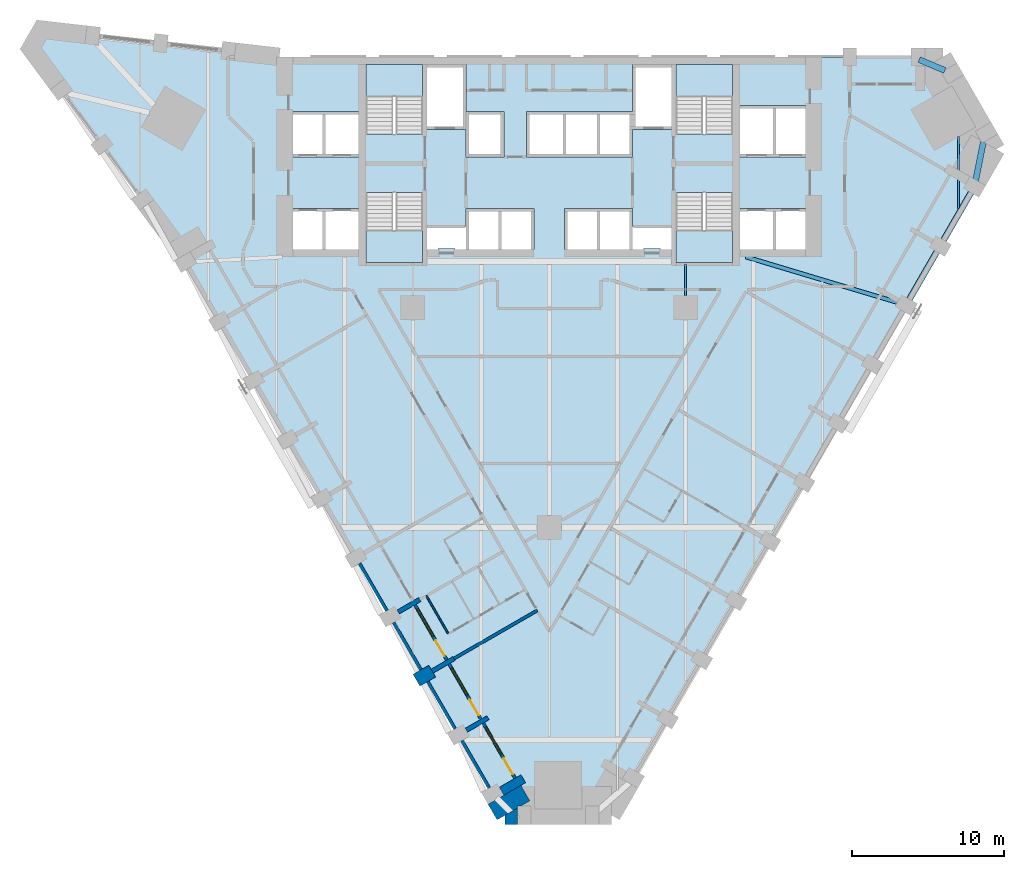
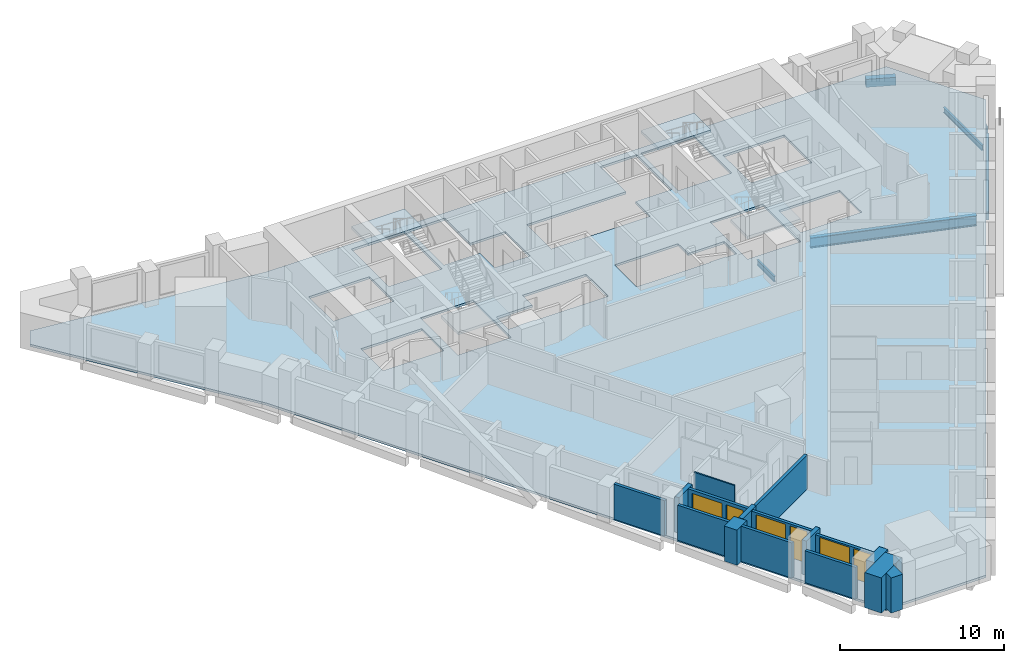
# One storey, part 2 of 10: 16 walls, 6 beams, 5 slabs, 3 doors, 3 windows, 6 openings, 4 elements without a shape of their own.
"""IFC4 building model written with IfcOpenShell, lengths in metres."""

from ifc_helpers import new_model, si_unit, direction, frame, frame_2d, origin, origin_2d, place, context, subcontext, project, spatial, polyline, rectangle, i_section, outline, extrude, material, layer, layer_set, material_profile, profile_set, type_object, element, fill, aggregate, save


model = new_model("IFC4")

# Units and contexts
model_context = context("Model", 3, precision=1e-05, world=origin(), true_north=direction((0.0, 1.0)))
body_context = subcontext(model_context, "Body", "Model", "MODEL_VIEW")
ifc_project = project(units=[si_unit("LENGTHUNIT", "METRE"), si_unit("AREAUNIT", "SQUARE_METRE"), si_unit("VOLUMEUNIT", "CUBIC_METRE"), si_unit("PLANEANGLEUNIT", "RADIAN"), si_unit("MASSUNIT", "GRAM", prefix="KILO")], contexts=[model_context])

# Site, building, storey
site_placement = place(None, origin())
site = spatial("IfcSite", under=ifc_project, at=site_placement, CompositionType="ELEMENT")
building_placement = place(site_placement, origin())
building = spatial("IfcBuilding", under=site, at=building_placement, Name="Calabash Gate Tower", CompositionType="ELEMENT")
storey_placement = place(building_placement, frame((0.0, 0.0, 66.39990234375)))
storey = spatial("IfcBuildingStorey", under=building, at=storey_placement, Name="L12", CompositionType="ELEMENT", Elevation=66.39990234375)

# Beams
ifc_material_1 = material(Name="Concrete C60/75", Category="concrete")
ifc_material_profile_1 = material_profile(ifc_material_1, rectangle(XDim=0.39990234375, YDim=0.60009765625, at=origin_2d()))
ifc_profile_set_1 = profile_set([ifc_material_profile_1], Name="Concrete C60/75")
beam_type_1 = type_object("IfcBeamType", Name="Edge beam RC 400x600 Concrete C60/75", PredefinedType="BEAM", material=ifc_profile_set_1)
beam_1_placement = place(storey_placement, frame((23.616943359375, 2.801025390625, -0.469970703125), z_axis=(0.500025102917, 0.866010910123, 0.0), x_axis=(-0.866010910123, 0.500025102917, 0.0)))
element("IfcBeam", 1, at=beam_1_placement, inside=storey, type_object=beam_type_1, Name="Edge beam L12 11", PredefinedType="BEAM", context=body_context, shape_type="SweptSolid", body=[
    extrude(rectangle(XDim=0.39990234375, YDim=0.60009765625, at=origin_2d()), origin(), (0.0, 0.0, 1.0), 8.42578125),
])
beam_2_placement = place(storey_placement, frame((28.072021484375, 10.618896484375, -0.469970703125), z_axis=(0.197276022222, 0.980347984675, 0.0), x_axis=(-0.980347984675, 0.197276022222, 0.0)))
element("IfcBeam", 2, at=beam_2_placement, inside=storey, type_object=beam_type_1, Name="Edge beam L12 12", PredefinedType="BEAM", context=body_context, shape_type="SweptSolid", body=[
    extrude(rectangle(XDim=0.39990234375, YDim=0.60009765625, at=origin_2d()), origin(), (0.0, 0.0, 1.0), 2.87353515625),
])
beam_3_placement = place(storey_placement, frame((26.10205078125, 18.157958984375, -0.469970703125), z_axis=(-0.921349387406, 0.388735522337, 0.0), x_axis=(-0.388735522337, -0.921349387406, 0.0)))
element("IfcBeam", 3, at=beam_3_placement, inside=storey, type_object=beam_type_1, Name="Edge beam L12 13", PredefinedType="BEAM", context=body_context, shape_type="SweptSolid", body=[
    extrude(rectangle(XDim=0.39990234375, YDim=0.60009765625, at=origin_2d()), origin(), (0.0, 0.0, 1.0), 1.849609375),
])
ifc_material_2 = material(Name="Steel ASTM A992 Gr50", Category="steel")
ifc_material_profile_2 = material_profile(ifc_material_2, i_section(OverallWidth=0.1396484375, OverallDepth=0.398681640625, WebThickness=0.00634765625, FlangeThickness=0.0087890625, FilletRadius=0.01025390625, at=origin_2d()))
ifc_profile_set_2 = profile_set([ifc_material_profile_2], Name="Steel ASTM A992 Gr50")
beam_type_2 = type_object("IfcBeamType", Name="Floor beam W16x26 ASTM A992 Gr50", PredefinedType="BEAM", material=ifc_profile_set_2)
beam_4_placement = place(storey_placement, frame((9.0, 3.300048828125, -0.368896484375), z_axis=(0.0, 1.0, 0.0), x_axis=(-1.0, 0.0, 0.0)))
element("IfcBeam", 4, at=beam_4_placement, inside=storey, type_object=beam_type_2, Name="Floor beam L12 19", PredefinedType="BEAM", context=body_context, shape_type="SweptSolid", body=[
    extrude(i_section(OverallWidth=0.1396484375, OverallDepth=0.398681640625, WebThickness=0.00634765625, FlangeThickness=0.0087890625, FilletRadius=0.01025390625, at=origin_2d()), origin(), (0.0, 0.0, 1.0), 2.10302734375),
])
beam_5_placement = place(storey_placement, frame((27.0, 9.048095703125, -0.368896484375), z_axis=(0.0, 1.0, 0.0), x_axis=(-1.0, 0.0, 0.0)))
element("IfcBeam", 5, at=beam_5_placement, inside=storey, type_object=beam_type_2, Name="Floor beam L12 23", PredefinedType="BEAM", context=body_context, shape_type="SweptSolid", body=[
    extrude(i_section(OverallWidth=0.1396484375, OverallDepth=0.398681640625, WebThickness=0.00634765625, FlangeThickness=0.0087890625, FilletRadius=0.01025390625, at=origin_2d()), origin(), (0.0, 0.0, 1.0), 4.744873046875),
])
ifc_material_3 = material(Name="Steel ASTM A992 Gr50", Category="steel")
ifc_material_profile_3 = material_profile(ifc_material_3, i_section(OverallWidth=0.2666015625, OverallDepth=0.77978515625, WebThickness=0.0166015625, FlangeThickness=0.030029296875, FilletRadius=0.0166015625, at=origin_2d()))
ifc_profile_set_3 = profile_set([ifc_material_profile_3], Name="Steel ASTM A992 Gr50")
beam_type_3 = type_object("IfcBeamType", Name="Girder W30x148 ASTM A992 Gr50", PredefinedType="BEAM", material=ifc_profile_set_3)
beam_6_placement = place(storey_placement, frame((22.97900390625, 2.85302734375, -0.559814453125), z_axis=(-0.957675094777, 0.287851372836, 0.0), x_axis=(-0.287851372836, -0.957675094777, 0.0)))
element("IfcBeam", 6, at=beam_6_placement, inside=storey, type_object=beam_type_3, Name="Girder L12 3", PredefinedType="BEAM", context=body_context, shape_type="SweptSolid", body=[
    extrude(i_section(OverallWidth=0.2666015625, OverallDepth=0.77978515625, WebThickness=0.0166015625, FlangeThickness=0.030029296875, FilletRadius=0.0166015625, at=origin_2d()), origin(), (0.0, 0.0, 1.0), 10.453369140625),
])

# Slab
ifc_material_4 = material(Name="Concrete C40/50", Category="concrete")
ifc_layer_1 = layer(ifc_material_4, 0.169921875)
ifc_layer_set_1 = layer_set([ifc_layer_1], Name="Composite floor slab 170 Concrete C40/50")
slab_type_1 = type_object("IfcSlabType", Name="Composite floor slab 170 Concrete C40/50", PredefinedType="FLOOR", material=ifc_layer_set_1)
slab_1_placement = place(storey_placement, frame((0.0, 0.0, -0.169921875)))
element("IfcSlab", 7, at=slab_1_placement, inside=storey, type_object=slab_type_1, Name="Floor slab L12", PredefinedType="FLOOR", context=body_context, shape_type="SweptSolid", body=[
    extrude(outline(polyline([(-24.806640625, 6.92822265625), (-34.19921875, 19.606201171875), (-33.482421875, 20.84765625), (-17.806640625, 19.052490234375), (25.96240234375, 19.052490234375), (29.481201171875, 12.957763671875), (4.115478515625, -30.97705078125), (-2.922119140625, -30.97705078125), (-24.806640625, 6.92822265625)]), holes=[polyline([(-5.5, 9.052490234375), (-5.5, 7.8525390625), (-8.050048828125, 7.8525390625), (-8.050048828125, 6.3525390625), (-7.324951171875, 6.3525390625), (-7.324951171875, 6.402587890625), (-6.22509765625, 6.402587890625), (-6.22509765625, 6.3525390625), (-5.5, 6.3525390625), (-3.25, 6.3525390625), (-1.0, 6.3525390625), (-1.0, 9.052490234375), (-3.25, 9.052490234375), (-5.5, 9.052490234375)]), polyline([(5.5, 9.052490234375), (3.25, 9.052490234375), (1.0, 9.052490234375), (1.0, 6.3525390625), (3.25, 6.3525390625), (5.5, 6.3525390625), (6.22509765625, 6.3525390625), (6.22509765625, 6.402587890625), (7.324951171875, 6.402587890625), (7.324951171875, 6.3525390625), (8.050048828125, 6.3525390625), (8.050048828125, 7.8525390625), (5.5, 7.8525390625), (5.5, 9.052490234375)]), polyline([(-5.5, 14.252685546875), (-5.5, 12.45263671875), (-3.0, 12.45263671875), (-3.0, 15.45263671875), (-5.5, 15.45263671875), (-5.5, 18.552490234375), (-8.050048828125, 18.552490234375), (-8.050048828125, 14.252685546875), (-5.5, 14.252685546875)]), polyline([(8.050048828125, 18.552490234375), (5.5, 18.552490234375), (5.5, 15.45263671875), (3.25, 15.45263671875), (1.0, 15.45263671875), (-1.5, 15.45263671875), (-1.5, 12.45263671875), (1.0, 12.45263671875), (3.25, 12.45263671875), (5.5, 12.45263671875), (5.5, 14.252685546875), (8.050048828125, 14.252685546875), (8.050048828125, 18.552490234375)]), polyline([(-12.60009765625, 6.3525390625), (-12.60009765625, 9.052490234375), (-14.85009765625, 9.052490234375), (-16.89990234375, 9.052490234375), (-16.89990234375, 6.3525390625), (-14.85009765625, 6.3525390625), (-12.60009765625, 6.3525390625)]), polyline([(-14.85009765625, 12.45263671875), (-12.60009765625, 12.45263671875), (-12.60009765625, 15.45263671875), (-14.85009765625, 15.45263671875), (-16.89990234375, 15.45263671875), (-16.89990234375, 12.45263671875), (-14.85009765625, 12.45263671875)]), polyline([(14.85009765625, 6.3525390625), (16.89990234375, 6.3525390625), (16.89990234375, 9.052490234375), (14.85009765625, 9.052490234375), (12.60009765625, 9.052490234375), (12.60009765625, 6.3525390625), (14.85009765625, 6.3525390625)]), polyline([(14.85009765625, 12.45263671875), (16.89990234375, 12.45263671875), (16.89990234375, 15.8525390625), (14.85009765625, 15.8525390625), (12.60009765625, 15.8525390625), (12.60009765625, 12.45263671875), (14.85009765625, 12.45263671875)]), polyline([(-8.35009765625, 18.552490234375), (-12.10009765625, 18.552490234375), (-12.10009765625, 13.95263671875), (-8.35009765625, 13.95263671875), (-8.35009765625, 18.552490234375)]), polyline([(-12.10009765625, 10.1025390625), (-12.10009765625, 5.502685546875), (-8.35009765625, 5.502685546875), (-8.35009765625, 10.1025390625), (-12.10009765625, 10.1025390625)]), polyline([(8.35009765625, 13.95263671875), (12.10009765625, 13.95263671875), (12.10009765625, 18.552490234375), (8.35009765625, 18.552490234375), (8.35009765625, 13.95263671875)]), polyline([(12.10009765625, 5.502685546875), (12.10009765625, 10.1025390625), (8.35009765625, 10.1025390625), (8.35009765625, 5.502685546875), (12.10009765625, 5.502685546875)])]), origin(), (0.0, 0.0, 1.0), 0.169921875),
])

# Stair, slab
ifc_material_5 = material(Name="Concrete C40/50", Category="concrete")
stair_type = type_object("IfcStairType", Name="Exit stair 20 risers of 170 mm", PredefinedType="HALF_TURN_STAIR", material=ifc_material_5)
stair_1_placement = place(storey_placement, origin())
stair_1 = element("IfcStair", 8, at=stair_1_placement, inside=storey, type_object=stair_type, Name="L12 Exit stair ST1", PredefinedType="HALF_TURN_STAIR")
ifc_material_6 = material(Name="Concrete C40/50", Category="concrete")
ifc_layer_2 = layer(ifc_material_6, 0.199951171875)
ifc_layer_set_2 = layer_set([ifc_layer_2], Name="Stair landing SL200")
slab_type_2 = type_object("IfcSlabType", Name="Stair landing SL200", PredefinedType="LANDING", material=ifc_layer_set_2)
slab_2_placement = place(storey_placement, frame((0.0, 0.0, 1.5)))
slab_2 = element("IfcSlab", 9, at=slab_2_placement, type_object=slab_type_2, Name="ST1 landing 1", PredefinedType="LANDING", context=body_context, shape_type="SweptSolid", body=[
    extrude(outline(polyline([(-8.35009765625, 16.463623046875), (-8.35009765625, 18.552490234375), (-12.10009765625, 18.552490234375), (-12.10009765625, 16.463623046875), (-8.35009765625, 16.463623046875)])), origin(), (0.0, 0.0, 1.0), 0.2001953125),
])
aggregate(stair_1, [slab_2])

stair_2_placement = place(storey_placement, origin())
stair_2 = element("IfcStair", 10, at=stair_2_placement, inside=storey, type_object=stair_type, Name="L12 Exit stair ST2", PredefinedType="HALF_TURN_STAIR")
slab_3_placement = place(storey_placement, frame((0.0, 0.0, 1.5)))
slab_3 = element("IfcSlab", 11, at=slab_3_placement, type_object=slab_type_2, Name="ST2 landing 1", PredefinedType="LANDING", context=body_context, shape_type="SweptSolid", body=[
    extrude(outline(polyline([(-12.10009765625, 7.591552734375), (-12.10009765625, 5.502685546875), (-8.35009765625, 5.502685546875), (-8.35009765625, 7.591552734375), (-12.10009765625, 7.591552734375)])), origin(), (0.0, 0.0, 1.0), 0.2001953125),
])
aggregate(stair_2, [slab_3])

stair_3_placement = place(storey_placement, origin())
stair_3 = element("IfcStair", 12, at=stair_3_placement, inside=storey, type_object=stair_type, Name="L12 Exit stair ST3", PredefinedType="HALF_TURN_STAIR")
slab_4_placement = place(storey_placement, frame((0.0, 0.0, 1.5)))
slab_4 = element("IfcSlab", 13, at=slab_4_placement, type_object=slab_type_2, Name="ST3 landing 1", PredefinedType="LANDING", context=body_context, shape_type="SweptSolid", body=[
    extrude(outline(polyline([(12.10009765625, 16.463623046875), (12.10009765625, 18.552490234375), (8.35009765625, 18.552490234375), (8.35009765625, 16.463623046875), (12.10009765625, 16.463623046875)])), origin(), (0.0, 0.0, 1.0), 0.2001953125),
])
aggregate(stair_3, [slab_4])

stair_4_placement = place(storey_placement, origin())
stair_4 = element("IfcStair", 14, at=stair_4_placement, inside=storey, type_object=stair_type, Name="L12 Exit stair ST4", PredefinedType="HALF_TURN_STAIR")
slab_5_placement = place(storey_placement, frame((0.0, 0.0, 1.5)))
slab_5 = element("IfcSlab", 15, at=slab_5_placement, type_object=slab_type_2, Name="ST4 landing 1", PredefinedType="LANDING", context=body_context, shape_type="SweptSolid", body=[
    extrude(outline(polyline([(8.35009765625, 7.591552734375), (8.35009765625, 5.502685546875), (12.10009765625, 5.502685546875), (12.10009765625, 7.591552734375), (8.35009765625, 7.591552734375)])), origin(), (0.0, 0.0, 1.0), 0.2001953125),
])
aggregate(stair_4, [slab_5])

# Walls
ifc_material_7 = material(Name="Terracotta brick masonry, exposed face", Category="masonry")
ifc_layer_3 = layer(ifc_material_7, 2.5)
ifc_layer_set_3 = layer_set([ifc_layer_3], Name="Brick corner mass wall 2500")
wall_type_1 = type_object("IfcWallType", Name="Brick corner mass wall 2500", PredefinedType="SOLIDWALL", material=ifc_layer_set_3)
wall_1_placement = place(storey_placement, origin())
element("IfcWall", 16, at=wall_1_placement, inside=storey, type_object=wall_type_1, Name="Brick corner pier S03 2a", PredefinedType="SOLIDWALL", context=body_context, shape_type="SweptSolid", body=[
    extrude(outline(polyline([(-1.276611328125, -30.027099609375), (-1.868896484375, -29.001220703125), (-4.033935546875, -30.251220703125), (-3.441650390625, -31.277099609375), (-2.10302734375, -30.504150390625), (-2.10302734375, -30.376953125), (-1.8828125, -30.376953125), (-1.276611328125, -30.027099609375)])), origin(), (0.0, 0.0, 1.0), 2.630126953125),
])
wall_2_placement = place(storey_placement, origin())
element("IfcWall", 17, at=wall_2_placement, inside=storey, type_object=wall_type_1, Name="Brick corner pier S03 2ba", PredefinedType="SOLIDWALL", context=body_context, shape_type="SweptSolid", body=[
    extrude(outline(polyline([(-2.922119140625, -30.97705078125), (-2.922119140625, -31.576904296875), (-2.10302734375, -31.576904296875), (-2.10302734375, -30.504150390625), (-2.922119140625, -30.97705078125)])), origin(), (0.0, 0.0, 1.0), 2.630126953125),
])
ifc_material_8 = material(Name="Terracotta brick masonry, exposed face", Category="masonry")
ifc_layer_4 = layer(ifc_material_8, 1.199951171875)
ifc_layer_set_4 = layer_set([ifc_layer_4], Name="Brick end wall 1200")
wall_type_2 = type_object("IfcWallType", Name="Brick end wall 1200", PredefinedType="SOLIDWALL", material=ifc_layer_set_4)
wall_3_placement = place(storey_placement, frame((-8.759033203125, -22.067138671875, 0.0), z_axis=(0.0, 0.0, 1.0), x_axis=(0.866094119867, 0.499880961361, 0.0)))
element("IfcWall", 18, at=wall_3_placement, inside=storey, type_object=wall_type_2, Name="Brick pier S03 SW0.7", PredefinedType="SOLIDWALL", context=body_context, shape_type="SweptSolid", body=[
    extrude(rectangle(XDim=1.199951171875, YDim=0.89990234375, at=frame_2d((0.60009765625, 0.0))), origin(), (0.0, 0.0, 1.0), 2.630126953125),
])
ifc_material_9 = material(Name="Terracotta brick masonry, exposed face", Category="masonry")
ifc_layer_5 = layer(ifc_material_9, 0.300048828125)
ifc_layer_set_5 = layer_set([ifc_layer_5], Name="Brick loggia cheek wall 300")
wall_type_3 = type_object("IfcWallType", Name="Brick loggia cheek wall 300", PredefinedType="SOLIDWALL", material=ifc_layer_set_5)
wall_4_placement = place(storey_placement, frame((-8.540771484375, -16.7451171875, 0.0), z_axis=(0.0, 0.0, 1.0), x_axis=(-0.866067297121, -0.499927431592, 0.0)))
element("IfcWall", 19, at=wall_4_placement, inside=storey, type_object=wall_type_3, Name="Loggia cheek S03 SW0.6", PredefinedType="SOLIDWALL", context=body_context, shape_type="SweptSolid", body=[
    extrude(rectangle(XDim=1.649658203125, YDim=0.300048828125, at=frame_2d((0.82470703125, 0.0))), origin(), (0.0, 0.0, 1.0), 2.650146484375),
])
wall_5_placement = place(storey_placement, frame((-7.7197265625, -21.46728515625, 0.0), z_axis=(0.0, 0.0, 1.0), x_axis=(0.865976140824, 0.500085316245, 0.0)))
element("IfcWall", 20, at=wall_5_placement, inside=storey, type_object=wall_type_3, Name="Loggia cheek S03 SW0.7", PredefinedType="SOLIDWALL", context=body_context, shape_type="SweptSolid", body=[
    extrude(rectangle(XDim=1.650146484375, YDim=0.300048828125, at=frame_2d((0.8251953125, 0.0))), origin(), (0.0, 0.0, 1.0), 2.650146484375),
])
wall_6_placement = place(storey_placement, frame((-5.46923828125, -25.364013671875, 0.0), z_axis=(0.0, 0.0, 1.0), x_axis=(0.866030301974, 0.499991515992, 0.0)))
element("IfcWall", 21, at=wall_6_placement, inside=storey, type_object=wall_type_3, Name="Loggia cheek S03 SW0.8", PredefinedType="SOLIDWALL", context=body_context, shape_type="SweptSolid", body=[
    extrude(rectangle(XDim=1.6494140625, YDim=0.300048828125, at=frame_2d((0.82470703125, 0.0))), origin(), (0.0, 0.0, 1.0), 2.552001953125),
])
wall_7_placement = place(storey_placement, frame((-3.144775390625, -29.391357421875, 0.0), z_axis=(0.0, 0.0, 1.0), x_axis=(0.866040211805, 0.499974350878, 0.0)))
element("IfcWall", 22, at=wall_7_placement, inside=storey, type_object=wall_type_3, Name="Loggia cheek S03 SW0.9", PredefinedType="SOLIDWALL", context=body_context, shape_type="SweptSolid", body=[
    extrude(rectangle(XDim=1.64990234375, YDim=0.60009765625, at=frame_2d((0.824951171875, 0.0))), origin(), (0.0, 0.0, 1.0), 2.630126953125),
])
ifc_material_10 = material(Name="Gypsum board on steel studs, mineral wool", Category="steel")
ifc_layer_6 = layer(ifc_material_10, 0.10009765625)
ifc_layer_set_6 = layer_set([ifc_layer_6], Name="Partition 100 gypsum board")
wall_type_4 = type_object("IfcWallType", Name="Partition 100 gypsum board", PredefinedType="PARTITIONING", material=ifc_layer_set_6)
wall_8_placement = place(storey_placement, frame((-8.107666015625, -16.4951171875, 0.0), z_axis=(0.0, 0.0, 1.0), x_axis=(0.499969479948, -0.866043023828, 0.0)))
element("IfcWall", 23, at=wall_8_placement, inside=storey, type_object=wall_type_4, Name="Partition", PredefinedType="PARTITIONING", context=body_context, shape_type="SweptSolid", body=[
    extrude(rectangle(XDim=2.851806640625, YDim=0.10009765625, at=frame_2d((1.42578125, 0.0))), origin(), (0.0, 0.0, 1.0), 3.22998046875),
])
ifc_material_11 = material(Name="Gypsum board on steel studs, mineral wool", Category="steel")
ifc_layer_7 = layer(ifc_material_11, 0.199951171875)
ifc_layer_set_7 = layer_set([ifc_layer_7], Name="Partition 200 gypsum board EI 60")
wall_type_5 = type_object("IfcWallType", Name="Partition 200 gypsum board EI 60", PredefinedType="PARTITIONING", material=ifc_layer_set_7)
wall_9_placement = place(storey_placement, frame((-6.291015625, -20.64208984375, 0.0), z_axis=(0.0, 0.0, 1.0), x_axis=(0.86590949515, 0.500200705926, 0.0)))
element("IfcWall", 24, at=wall_9_placement, inside=storey, type_object=wall_type_5, Name="Partition", PredefinedType="PARTITIONING", context=body_context, shape_type="SweptSolid", body=[
    extrude(rectangle(XDim=6.34814453125, YDim=0.199951171875, at=frame_2d((3.174072265625, 0.0))), origin(), (0.0, 0.0, 1.0), 2.552001953125),
])
ifc_material_12 = material(Name="Terracotta brick masonry, perforated", Category="masonry")
ifc_layer_8 = layer(ifc_material_12, 0.199951171875)
ifc_layer_set_8 = layer_set([ifc_layer_8], Name="Terracotta jaali screen A")
wall_type_6 = type_object("IfcWallType", Name="Terracotta jaali screen A", PredefinedType="SOLIDWALL", material=ifc_layer_set_8)
wall_10_placement = place(storey_placement, frame((-12.514404296875, -14.362548828125, 0.0), z_axis=(0.0, 0.0, 1.0), x_axis=(0.499982693035, -0.866035395735, 0.0)))
element("IfcWall", 25, at=wall_10_placement, inside=storey, type_object=wall_type_6, Name="SCREEN A S03 SW0.6", PredefinedType="SOLIDWALL", context=body_context, shape_type="SweptSolid", body=[
    extrude(rectangle(XDim=3.600341796875, YDim=0.199951171875, at=frame_2d((1.80029296875, 0.0))), origin(), (0.0, 0.0, 1.0), 2.630126953125),
])
for number, where, z_axis, x_axis, name in (
    (26, (-10.264404296875, -18.259765625, 0.0), (0.0, 0.0, 1.0), (0.500012057535, -0.866018442252, 0.0), "SCREEN A S03 SW0.7"),
    (27, (-8.014404296875, -22.156982421875, 0.0), (0.0, 0.0, 1.0), (0.500012057535, -0.866018442252, 0.0), "SCREEN A S03 SW0.8"),
):
    element("IfcWall", number, at=place(storey_placement, frame(where, z_axis=z_axis, x_axis=x_axis)), inside=storey, type_object=wall_type_6, Name=name, PredefinedType="SOLIDWALL", context=body_context, shape_type="SweptSolid", body=[
        extrude(rectangle(XDim=3.60009765625, YDim=0.199951171875, at=frame_2d((1.800048828125, 0.0))), origin(), (0.0, 0.0, 1.0), 2.630126953125),
    ])
wall_11_placement = place(storey_placement, frame((-5.764404296875, -26.053955078125, 0.0), z_axis=(0.0, 0.0, 1.0), x_axis=(0.500012057535, -0.866018442252, 0.0)))
element("IfcWall", 28, at=wall_11_placement, inside=storey, type_object=wall_type_6, Name="SCREEN A S03 SW0.9", PredefinedType="SOLIDWALL", context=body_context, shape_type="SweptSolid", body=[
    extrude(rectangle(XDim=3.60009765625, YDim=0.199951171875, at=frame_2d((1.800048828125, 0.0))), origin(), (0.0, 0.0, 1.0), 2.3740234375),
])

# Wall, openings, door, window
ifc_material_13 = material(Name="Aluminium framed window wall with insulated spandrel", Category="aluminium")
ifc_layer_9 = layer(ifc_material_13, 0.199951171875)
ifc_layer_set_9 = layer_set([ifc_layer_9], Name="Window wall 200")
wall_type_7 = type_object("IfcWallType", Name="Window wall 200", PredefinedType="ELEMENTEDWALL", material=ifc_layer_set_9)
wall_12_placement = place(storey_placement, frame((-8.85546875, -17.10009765625, 0.0), z_axis=(0.0, 0.0, 1.0), x_axis=(0.49998411664, -0.866034573852, 0.0)))
wall_12 = element("IfcWall", 29, at=wall_12_placement, inside=storey, type_object=wall_type_7, Name="Window wall S03 SW0.7", PredefinedType="ELEMENTEDWALL", context=body_context, shape_type="SweptSolid", body=[
    extrude(rectangle(XDim=4.199951171875, YDim=0.199951171875, at=frame_2d((2.10009765625, 0.0))), origin(), (0.0, 0.0, 1.0), 2.650146484375),
])
opening_1_placement = place(wall_12_placement, frame((0.300048828125, 0.0, 0.60009765625)))
opening_1 = element("IfcOpeningElement", 30, at=opening_1_placement, cuts=wall_12, Name="Opening HW1", PredefinedType="OPENING", context=body_context, shape_type="SweptSolid", body=[
    extrude(rectangle(XDim=2.10009765625, YDim=1.800048828125, at=frame_2d((1.050048828125, 0.89990234375))), frame((0.0, 0.10986328125, 0.0), z_axis=(0.0, -1.0, 0.0), x_axis=(1.0, 0.0, 0.0)), (0.0, 0.0, 1.0), 0.219970703125),
])
opening_2_placement = place(wall_12_placement, frame((2.699951171875, 0.0, 0.0)))
opening_2 = element("IfcOpeningElement", 31, at=opening_2_placement, cuts=wall_12, Name="Opening H3-026", PredefinedType="OPENING", context=body_context, shape_type="SweptSolid", body=[
    extrude(rectangle(XDim=1.199951171875, YDim=2.39990234375, at=frame_2d((0.60009765625, 1.199951171875))), frame((0.0, 0.10986328125, 0.0), z_axis=(0.0, -1.0, 0.0), x_axis=(1.0, 0.0, 0.0)), (0.0, 0.0, 1.0), 0.219970703125),
])
ifc_material_14 = material(Name="Anodised aluminium frame, bronze finish, impact-rated laminated clear glazing", Category="aluminium")
door_type_1 = type_object("IfcDoorType", Name="Loggia door DH1 1200x2400", OperationType="SLIDING_TO_LEFT", PredefinedType="DOOR", material=ifc_material_14)
door_1_placement = place(opening_2_placement, origin())
door_1 = element("IfcDoor", 32, at=door_1_placement, inside=storey, type_object=door_type_1, Name="Loggia door S03 SW0.7", OperationType="SINGLE_SWING_LEFT", OverallHeight=2.39990234375, OverallWidth=1.199951171875, PredefinedType="DOOR", context=body_context, shape_type="SweptSolid", body=[
    extrude(rectangle(XDim=1.199951171875, YDim=2.39990234375, at=frame_2d((0.60009765625, 1.199951171875))), frame((0.0, 0.02490234375, 0.0), z_axis=(0.0, -1.0, 0.0), x_axis=(1.0, 0.0, 0.0)), (0.0, 0.0, 1.0), 0.050048828125),
])
fill(opening_2, door_1)
ifc_material_15 = material(Name="Anodised aluminium frame, bronze finish, impact-rated laminated clear glazing", Category="aluminium")
window_type_1 = type_object("IfcWindowType", Name="Window HW1 2100x1800", PartitioningType="DOUBLE_PANEL_VERTICAL", PredefinedType="WINDOW", material=ifc_material_15)
window_1_placement = place(opening_1_placement, origin())
window_1 = element("IfcWindow", 33, at=window_1_placement, inside=storey, type_object=window_type_1, Name="Window HW1 S03 SW0.7", OverallHeight=1.800048828125, OverallWidth=2.10009765625, PartitioningType="SINGLE_PANEL", PredefinedType="WINDOW", context=body_context, shape_type="SweptSolid", body=[
    extrude(rectangle(XDim=2.10009765625, YDim=1.800048828125, at=frame_2d((1.050048828125, 0.89990234375))), frame((0.0, 0.030029296875, 0.0), z_axis=(0.0, -1.0, 0.0), x_axis=(1.0, 0.0, 0.0)), (0.0, 0.0, 1.0), 0.06005859375),
])
fill(opening_1, window_1)

wall_13_placement = place(storey_placement, frame((-6.60546875, -20.9970703125, 0.0), z_axis=(0.0, 0.0, 1.0), x_axis=(0.49998411664, -0.866034573852, 0.0)))
wall_13 = element("IfcWall", 34, at=wall_13_placement, inside=storey, type_object=wall_type_7, Name="Window wall S03 SW0.8", PredefinedType="ELEMENTEDWALL", context=body_context, shape_type="SweptSolid", body=[
    extrude(rectangle(XDim=4.199951171875, YDim=0.199951171875, at=frame_2d((2.10009765625, 0.0))), origin(), (0.0, 0.0, 1.0), 2.552001953125),
])
opening_3_placement = place(wall_13_placement, frame((0.300048828125, 0.0, 0.60009765625)))
opening_3 = element("IfcOpeningElement", 35, at=opening_3_placement, cuts=wall_13, Name="Opening HW1", PredefinedType="OPENING", context=body_context, shape_type="SweptSolid", body=[
    extrude(rectangle(XDim=2.10009765625, YDim=1.800048828125, at=frame_2d((1.050048828125, 0.89990234375))), frame((0.0, 0.10986328125, 0.0), z_axis=(0.0, -1.0, 0.0), x_axis=(1.0, 0.0, 0.0)), (0.0, 0.0, 1.0), 0.219970703125),
])
opening_4_placement = place(wall_13_placement, frame((2.699951171875, 0.0, 0.0)))
opening_4 = element("IfcOpeningElement", 36, at=opening_4_placement, cuts=wall_13, Name="Opening H3-027", PredefinedType="OPENING", context=body_context, shape_type="SweptSolid", body=[
    extrude(rectangle(XDim=1.199951171875, YDim=2.39990234375, at=frame_2d((0.60009765625, 1.199951171875))), frame((0.0, 0.10986328125, 0.0), z_axis=(0.0, -1.0, 0.0), x_axis=(1.0, 0.0, 0.0)), (0.0, 0.0, 1.0), 0.219970703125),
])
door_2_placement = place(opening_4_placement, origin())
door_2 = element("IfcDoor", 37, at=door_2_placement, inside=storey, type_object=door_type_1, Name="Loggia door S03 SW0.8", OperationType="SINGLE_SWING_LEFT", OverallHeight=2.39990234375, OverallWidth=1.199951171875, PredefinedType="DOOR", context=body_context, shape_type="SweptSolid", body=[
    extrude(rectangle(XDim=1.199951171875, YDim=2.39990234375, at=frame_2d((0.60009765625, 1.199951171875))), frame((0.0, 0.02490234375, 0.0), z_axis=(0.0, -1.0, 0.0), x_axis=(1.0, 0.0, 0.0)), (0.0, 0.0, 1.0), 0.050048828125),
])
fill(opening_4, door_2)
window_2_placement = place(opening_3_placement, origin())
window_2 = element("IfcWindow", 38, at=window_2_placement, inside=storey, type_object=window_type_1, Name="Window HW1 S03 SW0.8", OverallHeight=1.800048828125, OverallWidth=2.10009765625, PartitioningType="SINGLE_PANEL", PredefinedType="WINDOW", context=body_context, shape_type="SweptSolid", body=[
    extrude(rectangle(XDim=2.10009765625, YDim=1.800048828125, at=frame_2d((1.050048828125, 0.89990234375))), frame((0.0, 0.030029296875, 0.0), z_axis=(0.0, -1.0, 0.0), x_axis=(1.0, 0.0, 0.0)), (0.0, 0.0, 1.0), 0.06005859375),
])
fill(opening_3, window_2)

wall_14_placement = place(storey_placement, frame((-4.35546875, -24.894287109375, 0.0), z_axis=(0.0, 0.0, 1.0), x_axis=(0.49998411664, -0.866034573852, 0.0)))
wall_14 = element("IfcWall", 39, at=wall_14_placement, inside=storey, type_object=wall_type_7, Name="Window wall S03 SW0.9", PredefinedType="ELEMENTEDWALL", context=body_context, shape_type="SweptSolid", body=[
    extrude(rectangle(XDim=4.199951171875, YDim=0.199951171875, at=frame_2d((2.10009765625, 0.0))), origin(), (0.0, 0.0, 1.0), 2.3740234375),
])
opening_5_placement = place(wall_14_placement, frame((0.300048828125, 0.0, 0.60009765625)))
opening_5 = element("IfcOpeningElement", 40, at=opening_5_placement, cuts=wall_14, Name="Opening HW1L-1670", PredefinedType="OPENING", context=body_context, shape_type="SweptSolid", body=[
    extrude(rectangle(XDim=2.10009765625, YDim=1.669921875, at=frame_2d((1.050048828125, 0.8349609375))), frame((0.0, 0.10986328125, 0.0), z_axis=(0.0, -1.0, 0.0), x_axis=(1.0, 0.0, 0.0)), (0.0, 0.0, 1.0), 0.219970703125),
])
opening_6_placement = place(wall_14_placement, frame((2.699951171875, 0.0, 0.0)))
opening_6 = element("IfcOpeningElement", 41, at=opening_6_placement, cuts=wall_14, Name="Opening H3-028", PredefinedType="OPENING", context=body_context, shape_type="SweptSolid", body=[
    extrude(rectangle(XDim=1.199951171875, YDim=2.27001953125, at=frame_2d((0.60009765625, 1.135009765625))), frame((0.0, 0.10986328125, 0.0), z_axis=(0.0, -1.0, 0.0), x_axis=(1.0, 0.0, 0.0)), (0.0, 0.0, 1.0), 0.219970703125),
])
ifc_material_16 = material(Name="Anodised aluminium frame, bronze finish, impact-rated laminated clear glazing", Category="aluminium")
door_type_2 = type_object("IfcDoorType", Name="Loggia door DH1L-2270 1200x2270", OperationType="SLIDING_TO_LEFT", PredefinedType="DOOR", material=ifc_material_16)
door_3_placement = place(opening_6_placement, origin())
door_3 = element("IfcDoor", 42, at=door_3_placement, inside=storey, type_object=door_type_2, Name="Loggia door S03 SW0.9", OperationType="SINGLE_SWING_LEFT", OverallHeight=2.27001953125, OverallWidth=1.199951171875, PredefinedType="DOOR", context=body_context, shape_type="SweptSolid", body=[
    extrude(rectangle(XDim=1.199951171875, YDim=2.27001953125, at=frame_2d((0.60009765625, 1.135009765625))), frame((0.0, 0.02490234375, 0.0), z_axis=(0.0, -1.0, 0.0), x_axis=(1.0, 0.0, 0.0)), (0.0, 0.0, 1.0), 0.050048828125),
])
fill(opening_6, door_3)
ifc_material_17 = material(Name="Anodised aluminium frame, bronze finish, impact-rated laminated clear glazing", Category="aluminium")
window_type_2 = type_object("IfcWindowType", Name="Window HW1L 2100x1670", PartitioningType="DOUBLE_PANEL_VERTICAL", PredefinedType="WINDOW", material=ifc_material_17)
window_3_placement = place(opening_5_placement, origin())
window_3 = element("IfcWindow", 43, at=window_3_placement, inside=storey, type_object=window_type_2, Name="Window HW1 S03 SW0.9", OverallHeight=1.669921875, OverallWidth=2.10009765625, PartitioningType="SINGLE_PANEL", PredefinedType="WINDOW", context=body_context, shape_type="SweptSolid", body=[
    extrude(rectangle(XDim=2.10009765625, YDim=1.669921875, at=frame_2d((1.050048828125, 0.8349609375))), frame((0.0, 0.030029296875, 0.0), z_axis=(0.0, -1.0, 0.0), x_axis=(1.0, 0.0, 0.0)), (0.0, 0.0, 1.0), 0.06005859375),
])
fill(opening_5, window_3)

save(model, "model.ifc")
